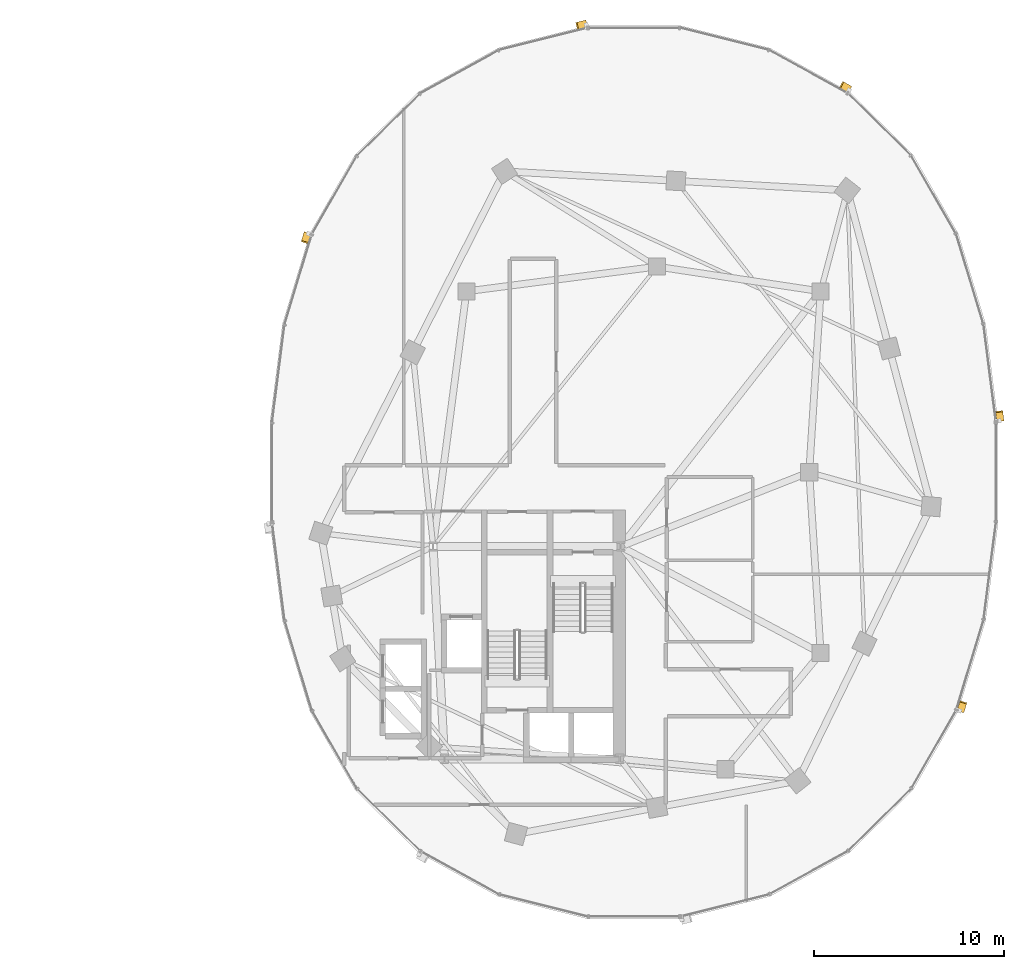
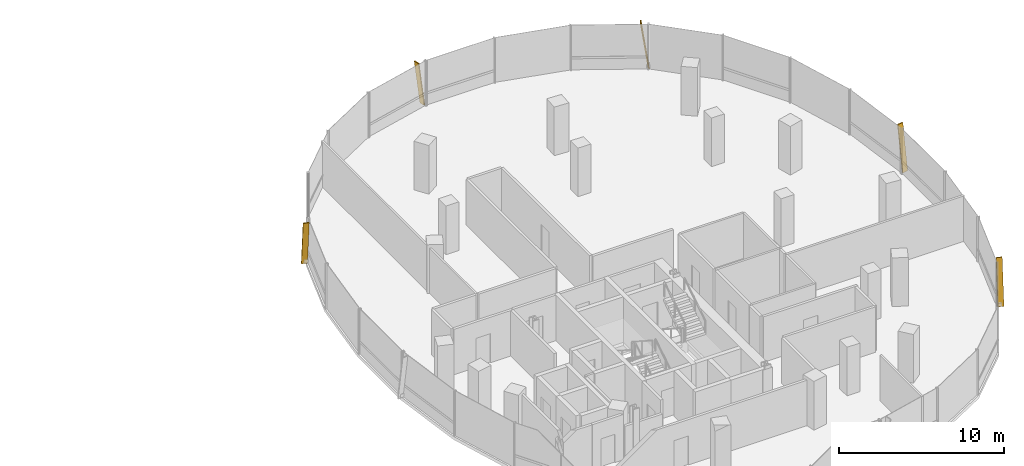
# One storey, part 22 of 22: 5 shading devices.
"""IFC4 building model written with IfcOpenShell, lengths in metres."""

from ifc_helpers import new_model, si_unit, direction, frame, origin, origin_2d, place, context, subcontext, project, spatial, rectangle, extrude, material, material_profile, profile_set, type_object, element, save


model = new_model("IFC4")

# Units and contexts
model_context = context("Model", 3, precision=1e-05, world=origin(), true_north=direction((0.0, 1.0)))
body_context = subcontext(model_context, "Body", "Model", "MODEL_VIEW")
ifc_project = project(units=[si_unit("LENGTHUNIT", "METRE"), si_unit("AREAUNIT", "SQUARE_METRE"), si_unit("VOLUMEUNIT", "CUBIC_METRE"), si_unit("PLANEANGLEUNIT", "RADIAN"), si_unit("MASSUNIT", "GRAM", prefix="KILO"), si_unit("THERMODYNAMICTEMPERATUREUNIT", "KELVIN"), si_unit("POWERUNIT", "WATT")], contexts=[model_context])

# Site, building, storey
site_placement = place(None, origin())
site = spatial("IfcSite", under=ifc_project, at=site_placement, CompositionType="ELEMENT")
building_placement = place(site_placement, origin())
building = spatial("IfcBuilding", under=site, at=building_placement, Name="Cundina Bronze Exchange", CompositionType="ELEMENT")
storey_placement = place(building_placement, frame((0.0, 0.0, 144.0)))
storey = spatial("IfcBuildingStorey", under=building, at=storey_placement, Name="L37", CompositionType="ELEMENT", Elevation=144.0)

# Shading devices
ifc_material = material(Name="Anodised Bronze Aluminium 6063-T6", Category="aluminium")
ifc_material_profile = material_profile(ifc_material, rectangle(XDim=0.070068359375, YDim=0.3798828125, at=origin_2d()), Name="FIN70X380", Category="aluminium")
ifc_profile_set = profile_set([ifc_material_profile], Name="Anodised Bronze Aluminium 6063-T6")
shading_device_type = type_object("IfcShadingDeviceType", Name="SHD-FIN-BRZ380", PredefinedType="USERDEFINED", material=ifc_profile_set)
for number, where, z_axis, x_axis, name in (
    (1, (51.23486328125, 2.705810546875, 0.02001953125), (-0.018121805099, 0.141917750773, 0.989712560391), (0.125360789044, -0.981741119016, 0.143070080046), "L37 Diagonal Bronze Solar Fin 1"),
    (2, (43.320068359375, 20.11181640625, 0.02001953125), (-0.125324460949, 0.068993954111, 0.989713905017), (0.867011652888, -0.477309551067, 0.143060778049), "L37 Diagonal Bronze Solar Fin 5"),
    (3, (29.48046875, 23.556396484375, 0.02001953125), (-0.138788401144, -0.034715294885, 0.989713407007), (0.960133415413, 0.240159223467, 0.14306422331), "L37 Diagonal Bronze Solar Fin 1"),
    (4, (14.848876953125, 12.5439453125, 0.02001953125), (-0.041483395017, -0.136967981441, 0.989706471636), (0.286882504107, 0.947215566191, 0.143112193758), "L37 Diagonal Bronze Solar Fin 5"),
    (5, (49.151123046875, -12.5439453125, 0.02001953125), (0.041483395017, 0.136967981441, 0.989706471636), (-0.286882504107, -0.947215566191, 0.143112193758), "L37 Diagonal Bronze Solar Fin 5"),
):
    element("IfcShadingDevice", number, at=place(storey_placement, frame(where, z_axis=z_axis, x_axis=x_axis)), inside=storey, type_object=shading_device_type, Name=name, ObjectType="FIN", PredefinedType="USERDEFINED", context=body_context, shape_type="SweptSolid", body=[
        extrude(rectangle(XDim=0.070068359375, YDim=0.3798828125, at=origin_2d()), origin(), (0.0, 0.0, 1.0), 3.3544921875),
    ])

save(model, "model.ifc")
